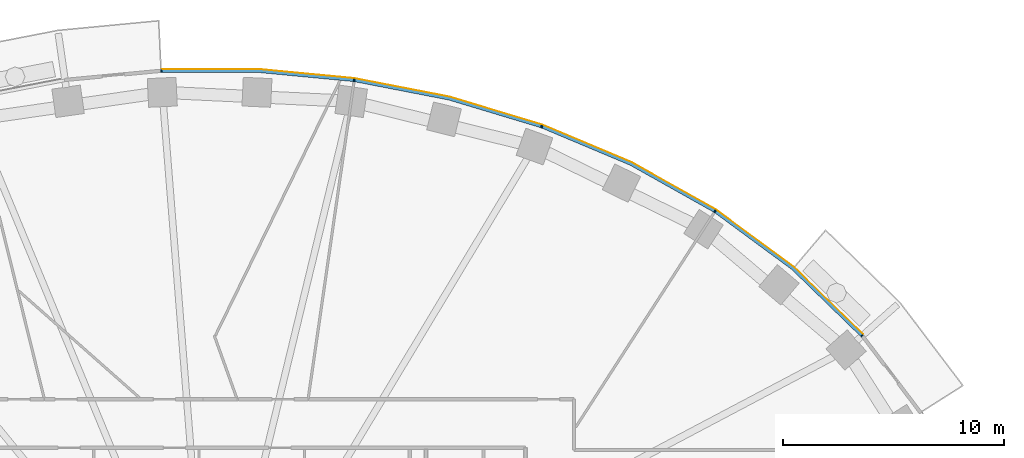
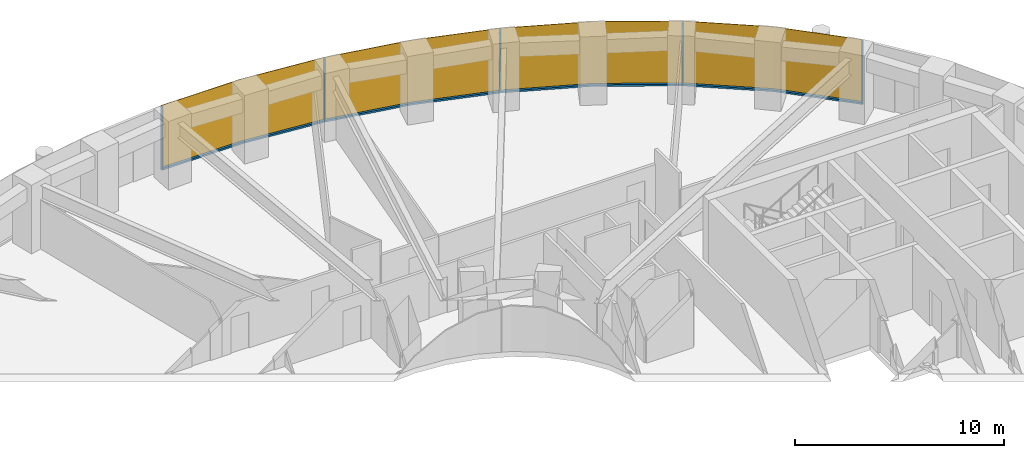
# One storey, part 13 of 16: 9 members, 1 curtain wall.
"""IFC4 building model written with IfcOpenShell, lengths in metres."""

from ifc_helpers import new_model, si_unit, direction, frame, origin, origin_2d, place, context, subcontext, project, spatial, polyline, rectangle, outline, extrude, material, layer, layer_set, material_profile, profile_set, type_object, element, aggregate, save


model = new_model("IFC4")

# Units and contexts
model_context = context("Model", 3, precision=1e-05, world=origin(), true_north=direction((0.0, 1.0)))
body_context = subcontext(model_context, "Body", "Model", "MODEL_VIEW")
ifc_project = project(units=[si_unit("LENGTHUNIT", "METRE"), si_unit("AREAUNIT", "SQUARE_METRE"), si_unit("VOLUMEUNIT", "CUBIC_METRE"), si_unit("PLANEANGLEUNIT", "RADIAN"), si_unit("MASSUNIT", "GRAM", prefix="KILO")], contexts=[model_context])

# Member
ifc_material_1 = material(Name="Aluminium 6063-T6 black anodised", Category="aluminium")
ifc_material_profile = material_profile(ifc_material_1, rectangle(XDim=0.1201171875, YDim=0.06005859375, at=origin_2d()), Name="120x60")
ifc_profile_set = profile_set([ifc_material_profile], Name="Aluminium 6063-T6 black anodised")
member_type_1 = type_object("IfcMemberType", Name="ENV-MULLION-A-120", PredefinedType="MULLION", material=ifc_profile_set)
site_placement = place(None, origin())
building_placement = place(site_placement, origin())
storey_placement = place(building_placement, frame((0.0, 0.0, 108.0)))
member_1_placement = place(storey_placement, frame((29.53857421875, 15.8671875, 0.0), z_axis=(0.0, 0.0, 1.0), x_axis=(-0.749047221705, -0.662516610853, 0.0)))
member_1 = element("IfcMember", 1, at=member_1_placement, type_object=member_type_1, Name="Mullion A radial 05", PredefinedType="MULLION", context=body_context, shape_type="SweptSolid", body=[
    extrude(rectangle(XDim=0.1201171875, YDim=0.06005859375, at=origin_2d()), origin(), (0.0, 0.0, 1.0), 3.699951171875),
])

member_2_placement = place(storey_placement, frame((22.882568359375, 21.506591796875, 0.0), z_axis=(0.0, 0.0, 1.0), x_axis=(-0.542279153225, -0.840198381323, 0.0)))
member_2 = element("IfcMember", 2, at=member_2_placement, type_object=member_type_1, Name="Mullion A radial 07", PredefinedType="MULLION", context=body_context, shape_type="SweptSolid", body=[
    extrude(rectangle(XDim=0.1201171875, YDim=0.06005859375, at=origin_2d()), origin(), (0.0, 0.0, 1.0), 3.699951171875),
])

member_3_placement = place(storey_placement, frame((15.0341796875, 25.34375, 0.0), z_axis=(0.0, 0.0, 1.0), x_axis=(-0.338379256581, -0.941009818608, 0.0)))
member_3 = element("IfcMember", 3, at=member_3_placement, type_object=member_type_1, Name="Mullion A radial 09", PredefinedType="MULLION", context=body_context, shape_type="SweptSolid", body=[
    extrude(rectangle(XDim=0.1201171875, YDim=0.06005859375, at=origin_2d()), origin(), (0.0, 0.0, 1.0), 3.699951171875),
])

member_4_placement = place(storey_placement, frame((6.54638671875, 27.440185546875, 0.0), z_axis=(0.0, 0.0, 1.0), x_axis=(-0.143082012705, -0.989710835366, 0.0)))
member_4 = element("IfcMember", 4, at=member_4_placement, type_object=member_type_1, Name="Mullion A radial 11", PredefinedType="MULLION", context=body_context, shape_type="SweptSolid", body=[
    extrude(rectangle(XDim=0.1201171875, YDim=0.06005859375, at=origin_2d()), origin(), (0.0, 0.0, 1.0), 3.699951171875),
])

member_5_placement = place(storey_placement, frame((-2.188720703125, 27.856201171875, 0.0), z_axis=(0.0, 0.0, 1.0), x_axis=(0.047557873581, -0.998868484166, 0.0)))
member_5 = element("IfcMember", 5, at=member_5_placement, type_object=member_type_1, Name="Mullion A radial 13", PredefinedType="MULLION", context=body_context, shape_type="SweptSolid", body=[
    extrude(rectangle(XDim=0.1201171875, YDim=0.06005859375, at=origin_2d()), origin(), (0.0, 0.0, 1.0), 3.699951171875),
])

ifc_material_2 = material(Name="Aluminium 6063-T6 black anodised", Category="aluminium")
member_type_2 = type_object("IfcMemberType", Name="ENV-TRANSOM-A", PredefinedType="USERDEFINED", material=ifc_material_2)
member_6_placement = place(storey_placement, origin())
member_6 = element("IfcMember", 6, at=member_6_placement, type_object=member_type_2, Name="Transom A radial 05-07", ObjectType="TRANSOM", PredefinedType="USERDEFINED", context=body_context, shape_type="SweptSolid", body=[
    extrude(outline(polyline([(29.5634765625, 15.926513671875), (26.4423828125, 18.958740234375), (22.937744140625, 21.540283203125), (22.87255859375, 21.439208984375), (26.364501953125, 18.866943359375), (29.473388671875, 15.8466796875), (29.5634765625, 15.926513671875)])), origin(), (0.0, 0.0, 1.0), 0.10009765625),
])

member_7_placement = place(storey_placement, origin())
member_7 = element("IfcMember", 7, at=member_7_placement, type_object=member_type_2, Name="Transom A radial 07-09", ObjectType="TRANSOM", PredefinedType="USERDEFINED", context=body_context, shape_type="SweptSolid", body=[
    extrude(outline(polyline([(22.890625, 21.570556640625), (19.093994140625, 23.701416015625), (15.080322265625, 25.389404296875), (15.03955078125, 25.276123046875), (19.041259765625, 23.593505859375), (22.825439453125, 21.469482421875), (22.890625, 21.570556640625)])), origin(), (0.0, 0.0, 1.0), 0.10009765625),
])

member_8_placement = place(storey_placement, origin())
member_8 = element("IfcMember", 8, at=member_8_placement, type_object=member_type_2, Name="Transom A radial 09-11", ObjectType="TRANSOM", PredefinedType="USERDEFINED", context=body_context, shape_type="SweptSolid", body=[
    extrude(outline(polyline([(15.027587890625, 25.408203125), (10.857666015625, 26.6630859375), (6.58251953125, 27.494140625), (6.5654296875, 27.375244140625), (10.828857421875, 26.54638671875), (14.987060546875, 25.295166015625), (15.027587890625, 25.408203125)])), origin(), (0.0, 0.0, 1.0), 0.10009765625),
])

member_9_placement = place(storey_placement, origin())
member_9 = element("IfcMember", 9, at=member_9_placement, type_object=member_type_2, Name="Transom A radial 11-13", ObjectType="TRANSOM", PredefinedType="USERDEFINED", context=body_context, shape_type="SweptSolid", body=[
    extrude(outline(polyline([(6.527099609375, 27.502197265625), (2.191650390625, 27.916015625), (-2.163818359375, 27.916015625), (-2.157958984375, 27.7958984375), (2.185791015625, 27.7958984375), (6.510009765625, 27.38330078125), (6.527099609375, 27.502197265625)])), origin(), (0.0, 0.0, 1.0), 0.10009765625),
])

# Site, building, storey
site = spatial("IfcSite", under=ifc_project, at=site_placement, CompositionType="ELEMENT")
building = spatial("IfcBuilding", under=site, at=building_placement, Name="Noorbagh Ring Tower", CompositionType="ELEMENT")
storey = spatial("IfcBuildingStorey", under=building, at=storey_placement, Name="L24", CompositionType="ELEMENT", Elevation=108.0)

# Curtain wall
ifc_material_3 = material(Name="Glass dark tinted laminated", Category="glass")
ifc_layer = layer(ifc_material_3, 0.031982421875)
ifc_layer_set = layer_set([ifc_layer], Name="Glass dark tinted laminated")
curtain_wall_type = type_object("IfcCurtainWallType", Name="ENV-CW-A", PredefinedType="NOTDEFINED", material=ifc_layer_set)
curtain_wall_placement = place(storey_placement, origin())
curtain_wall = element("IfcCurtainWall", 10, at=curtain_wall_placement, inside=storey, type_object=curtain_wall_type, Name="Curtain wall A R05", PredefinedType="NOTDEFINED", context=body_context, shape_type="SweptSolid", body=[
    extrude(outline(polyline([(29.59326171875, 15.942138671875), (26.463134765625, 18.9833984375), (22.9326171875, 21.583740234375), (19.108154296875, 23.730224609375), (15.065185546875, 25.430419921875), (10.865234375, 26.6943359375), (6.559814453125, 27.53125), (2.193115234375, 27.947998046875), (-2.173095703125, 27.947998046875), (-2.171630859375, 27.916015625), (2.191650390625, 27.916015625), (6.55517578125, 27.49951171875), (10.857666015625, 26.6630859375), (15.054443359375, 25.400146484375), (19.093994140625, 23.701416015625), (22.9150390625, 21.556884765625), (26.4423828125, 18.958740234375), (29.569091796875, 15.9208984375), (29.59326171875, 15.942138671875)])), origin(), (0.0, 0.0, 1.0), 3.699951171875),
])

aggregate(curtain_wall, [member_1, member_2, member_3, member_4, member_5, member_6, member_7, member_8, member_9])

save(model, "model.ifc")
